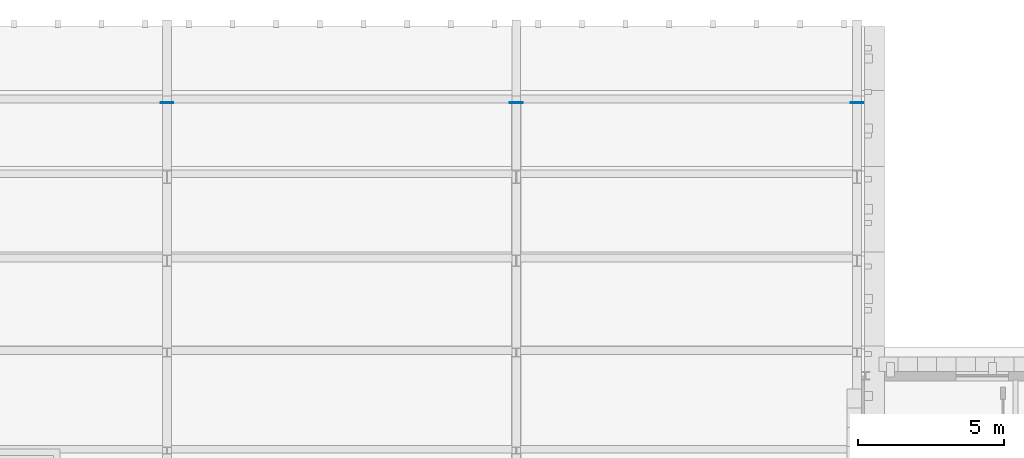
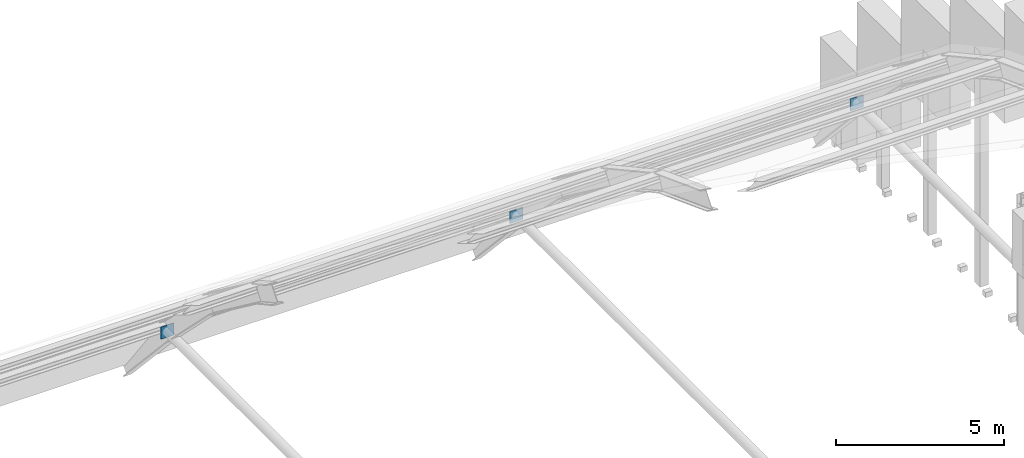
# One storey, part 15 of 35: 3 plates.
"""IFC4 building model written with IfcOpenShell, lengths in metres."""

from ifc_helpers import new_model, si_unit, direction, frame, origin, origin_2d, place, context, subcontext, project, spatial, rectangle, extrude, material, layer, layer_set, type_object, element, save


model = new_model("IFC4")

# Units and contexts
model_context = context("Model", 3, precision=1e-05, world=origin(), true_north=direction((0.0, 1.0)))
body_context = subcontext(model_context, "Body", "Model", "MODEL_VIEW")
ifc_project = project(units=[si_unit("LENGTHUNIT", "METRE"), si_unit("AREAUNIT", "SQUARE_METRE"), si_unit("VOLUMEUNIT", "CUBIC_METRE"), si_unit("PLANEANGLEUNIT", "RADIAN"), si_unit("MASSUNIT", "GRAM", prefix="KILO")], contexts=[model_context])

# Site, building, storey
site_placement = place(None, origin())
site = spatial("IfcSite", under=ifc_project, at=site_placement, CompositionType="ELEMENT")
building_placement = place(site_placement, origin())
building = spatial("IfcBuilding", under=site, at=building_placement, Name="Zlatogorsky Bluff Art Gallery", CompositionType="ELEMENT")
storey_placement = place(building_placement, frame((0.0, 0.0, 23.39990234375)))
storey = spatial("IfcBuildingStorey", under=building, at=storey_placement, Name="L04", CompositionType="ELEMENT", Elevation=23.39990234375)

# Plates
ifc_material = material(Name="Steel S355", Category="steel")
ifc_layer = layer(ifc_material, 0.43994140625)
ifc_layer_set = layer_set([ifc_layer], Name="Node Plate CP-03")
plate_type = type_object("IfcPlateType", Name="Node Plate CP-03", PredefinedType="USERDEFINED", material=ifc_layer_set)
for number, where, z_axis, x_axis, name in (
    (1, (96.0, 117.376220703125, 2.357177734375), (0.0, 0.0, 1.0), (1.0, 0.0, 0.0), "Vault tie north cap plate J"),
    (2, (108.0, 117.376220703125, 2.357177734375), (0.0, 0.0, 1.0), (1.0, 0.0, 0.0), "Vault tie north cap plate K"),
    (3, (119.699951171875, 117.376220703125, 2.357177734375), (0.0, 0.0, 1.0), (1.0, 0.0, 0.0), "Vault tie north cap plate L"),
):
    element("IfcPlate", number, at=place(storey_placement, frame(where, z_axis=z_axis, x_axis=x_axis)), inside=storey, type_object=plate_type, Name=name, ObjectType="CAP PLATE", PredefinedType="USERDEFINED", context=body_context, shape_type="SweptSolid", body=[
        extrude(rectangle(XDim=0.43994140625, YDim=0.02587890625, at=origin_2d()), origin(), (0.0, 0.0, 1.0), 0.43994140625),
    ])

save(model, "model.ifc")
